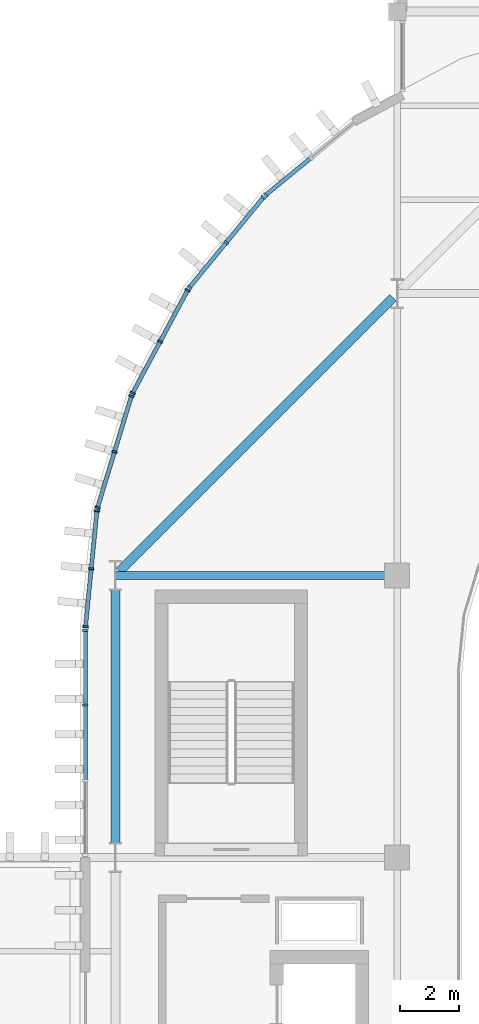
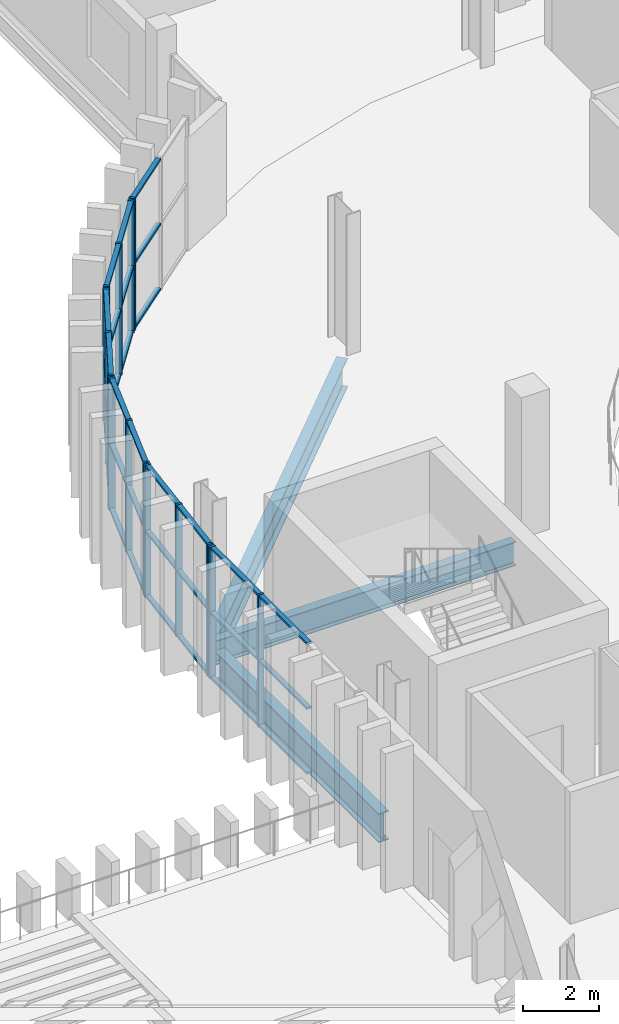
# One storey, part 18 of 92: 48 members, 3 beams, 6 elements without a shape of their own.
"""IFC4 building model written with IfcOpenShell, lengths in metres."""

from ifc_helpers import new_model, si_unit, direction, frame, origin, origin_2d, place, context, subcontext, project, spatial, rectangle, i_section, extrude, material, layer, layer_set, material_profile, profile_set, type_object, element, aggregate, save


model = new_model("IFC4")

# Units and contexts
model_context = context("Model", 3, precision=1e-05, world=origin(), true_north=direction((0.0, 1.0)))
body_context = subcontext(model_context, "Body", "Model", "MODEL_VIEW")
ifc_project = project(units=[si_unit("LENGTHUNIT", "METRE"), si_unit("AREAUNIT", "SQUARE_METRE"), si_unit("VOLUMEUNIT", "CUBIC_METRE"), si_unit("PLANEANGLEUNIT", "RADIAN"), si_unit("MASSUNIT", "GRAM", prefix="KILO")], contexts=[model_context])

# Site, building, storey
site_placement = place(None, origin())
site = spatial("IfcSite", under=ifc_project, at=site_placement, CompositionType="ELEMENT")
building_placement = place(site_placement, origin())
building = spatial("IfcBuilding", under=site, at=building_placement, Name="Caelomonte Colonnade Arena", CompositionType="ELEMENT")
storey_placement = place(building_placement, frame((0.0, 0.0, 9.60009765625)))
storey = spatial("IfcBuildingStorey", under=building, at=storey_placement, Name="L02", CompositionType="ELEMENT", Elevation=9.60009765625)

# Curtain wall, member
ifc_material_1 = material(Name="Bronze anodised aluminium and low-E glazing", Category="aluminium")
ifc_layer_1 = layer(ifc_material_1, 0.179931640625)
ifc_layer_set_1 = layer_set([ifc_layer_1], Name="Bronze anodised aluminium and low-E glazing")
curtain_wall_type_1 = type_object("IfcCurtainWallType", Name="ENV-CW-CW-L02-44-42", PredefinedType="USERDEFINED", material=ifc_layer_set_1)
curtain_wall_1_placement = place(storey_placement, origin())
curtain_wall_1 = element("IfcCurtainWall", 1, at=curtain_wall_1_placement, inside=storey, type_object=curtain_wall_type_1, Name="L02 unitized curtain wall CW-L02-0643-1102", ObjectType="UNITIZED CURTAIN WALL", PredefinedType="USERDEFINED")
ifc_material_2 = material(Name="Bronze anodised aluminium AA6063-T6", Category="aluminium")
ifc_material_profile_1 = material_profile(ifc_material_2, rectangle(XDim=0.070068359375, YDim=0.179931640625, at=origin_2d()), Name="CWM-70X180")
ifc_profile_set_1 = profile_set([ifc_material_profile_1], Name="Bronze anodised aluminium AA6063-T6")
member_type_1 = type_object("IfcMemberType", Name="ENV-CW-MULL1", PredefinedType="MULLION", material=ifc_profile_set_1)
member_1_placement = place(storey_placement, frame((62.722900390625, 108.95751953125, 0.0), z_axis=(0.0, 0.0, 1.0), x_axis=(-0.772991751994, -0.634416071163, 0.0)))
member_1 = element("IfcMember", 2, at=member_1_placement, type_object=member_type_1, Name="CW-L02-44-42 mullion 3", PredefinedType="MULLION", context=body_context, shape_type="SweptSolid", body=[
    extrude(rectangle(XDim=0.070068359375, YDim=0.179931640625, at=origin_2d()), origin(), (0.0, 0.0, 1.0), 4.219970703125),
])

# Curtain wall, members
curtain_wall_2_placement = place(storey_placement, origin())
curtain_wall_2 = element("IfcCurtainWall", 3, at=curtain_wall_2_placement, inside=storey, type_object=curtain_wall_type_1, Name="L02 unitized curtain wall CW-L02-0614-1073", ObjectType="UNITIZED CURTAIN WALL", PredefinedType="USERDEFINED")
member_2_placement = place(storey_placement, frame((62.642333984375, 108.876953125, 0.0), z_axis=(0.0, 0.0, 1.0), x_axis=(-0.634416071163, -0.772991751994, 0.0)))
member_2 = element("IfcMember", 4, at=member_2_placement, type_object=member_type_1, Name="CW-L02-44-42 mullion 1", PredefinedType="MULLION", context=body_context, shape_type="SweptSolid", body=[
    extrude(rectangle(XDim=0.070068359375, YDim=0.179931640625, at=origin_2d()), origin(), (0.0, 0.0, 1.0), 4.219970703125),
])
member_3_placement = place(storey_placement, frame((61.384033203125, 107.343994140625, 0.0), z_axis=(0.0, 0.0, 1.0), x_axis=(-0.634416071163, -0.772991751994, 0.0)))
member_3 = element("IfcMember", 5, at=member_3_placement, type_object=member_type_1, Name="CW-L02-44-42 mullion 2", PredefinedType="MULLION", context=body_context, shape_type="SweptSolid", body=[
    extrude(rectangle(XDim=0.070068359375, YDim=0.179931640625, at=origin_2d()), origin(), (0.0, 0.0, 1.0), 4.219970703125),
])
member_4_placement = place(storey_placement, frame((60.125732421875, 105.810791015625, 0.0), z_axis=(0.0, 0.0, 1.0), x_axis=(-0.634416071163, -0.772991751994, 0.0)))
member_4 = element("IfcMember", 6, at=member_4_placement, type_object=member_type_1, Name="CW-L02-44-42 mullion 3", PredefinedType="MULLION", context=body_context, shape_type="SweptSolid", body=[
    extrude(rectangle(XDim=0.070068359375, YDim=0.179931640625, at=origin_2d()), origin(), (0.0, 0.0, 1.0), 4.219970703125),
])

curtain_wall_3_placement = place(storey_placement, origin())
curtain_wall_3 = element("IfcCurtainWall", 7, at=curtain_wall_3_placement, inside=storey, type_object=curtain_wall_type_1, Name="L02 unitized curtain wall CW-L02-0591-1040", ObjectType="UNITIZED CURTAIN WALL", PredefinedType="USERDEFINED")
member_5_placement = place(storey_placement, frame((60.0625, 105.716064453125, 0.0), z_axis=(0.0, 0.0, 1.0), x_axis=(-0.471394212466, -0.881922613642, 0.0)))
member_5 = element("IfcMember", 8, at=member_5_placement, type_object=member_type_1, Name="CW-L02-44-42 mullion 1", PredefinedType="MULLION", context=body_context, shape_type="SweptSolid", body=[
    extrude(rectangle(XDim=0.070068359375, YDim=0.179931640625, at=origin_2d()), origin(), (0.0, 0.0, 1.0), 4.219970703125),
])
member_6_placement = place(storey_placement, frame((59.12744140625, 103.966796875, 0.0), z_axis=(0.0, 0.0, 1.0), x_axis=(-0.471394212466, -0.881922613642, 0.0)))
member_6 = element("IfcMember", 9, at=member_6_placement, type_object=member_type_1, Name="CW-L02-44-42 mullion 2", PredefinedType="MULLION", context=body_context, shape_type="SweptSolid", body=[
    extrude(rectangle(XDim=0.070068359375, YDim=0.179931640625, at=origin_2d()), origin(), (0.0, 0.0, 1.0), 4.219970703125),
])
member_7_placement = place(storey_placement, frame((58.192626953125, 102.2177734375, 0.0), z_axis=(0.0, 0.0, 1.0), x_axis=(-0.471394212466, -0.881922613642, 0.0)))
member_7 = element("IfcMember", 10, at=member_7_placement, type_object=member_type_1, Name="CW-L02-44-42 mullion 3", PredefinedType="MULLION", context=body_context, shape_type="SweptSolid", body=[
    extrude(rectangle(XDim=0.070068359375, YDim=0.179931640625, at=origin_2d()), origin(), (0.0, 0.0, 1.0), 4.219970703125),
])

curtain_wall_4_placement = place(storey_placement, origin())
curtain_wall_4 = element("IfcCurtainWall", 11, at=curtain_wall_4_placement, inside=storey, type_object=curtain_wall_type_1, Name="L02 unitized curtain wall CW-L02-0576-1002", ObjectType="UNITIZED CURTAIN WALL", PredefinedType="USERDEFINED")
member_8_placement = place(storey_placement, frame((58.14892578125, 102.1123046875, 0.0), z_axis=(0.0, 0.0, 1.0), x_axis=(-0.290255582655, -0.956949160999, 0.0)))
member_8 = element("IfcMember", 12, at=member_8_placement, type_object=member_type_1, Name="CW-L02-44-42 mullion 1", PredefinedType="MULLION", context=body_context, shape_type="SweptSolid", body=[
    extrude(rectangle(XDim=0.070068359375, YDim=0.179931640625, at=origin_2d()), origin(), (0.0, 0.0, 1.0), 4.219970703125),
])
member_9_placement = place(storey_placement, frame((57.5732421875, 100.21435546875, 0.0), z_axis=(0.0, 0.0, 1.0), x_axis=(-0.290255582655, -0.956949160999, 0.0)))
member_9 = element("IfcMember", 13, at=member_9_placement, type_object=member_type_1, Name="CW-L02-44-42 mullion 2", PredefinedType="MULLION", context=body_context, shape_type="SweptSolid", body=[
    extrude(rectangle(XDim=0.070068359375, YDim=0.179931640625, at=origin_2d()), origin(), (0.0, 0.0, 1.0), 4.219970703125),
])
member_10_placement = place(storey_placement, frame((56.99755859375, 98.31640625, 0.0), z_axis=(0.0, 0.0, 1.0), x_axis=(-0.290255582655, -0.956949160999, 0.0)))
member_10 = element("IfcMember", 14, at=member_10_placement, type_object=member_type_1, Name="CW-L02-44-42 mullion 3", PredefinedType="MULLION", context=body_context, shape_type="SweptSolid", body=[
    extrude(rectangle(XDim=0.070068359375, YDim=0.179931640625, at=origin_2d()), origin(), (0.0, 0.0, 1.0), 4.219970703125),
])

curtain_wall_5_placement = place(storey_placement, origin())
curtain_wall_5 = element("IfcCurtainWall", 15, at=curtain_wall_5_placement, inside=storey, type_object=curtain_wall_type_1, Name="L02 unitized curtain wall CW-L02-0568-0962", ObjectType="UNITIZED CURTAIN WALL", PredefinedType="USERDEFINED")
member_11_placement = place(storey_placement, frame((56.975341796875, 98.20458984375, 0.0), z_axis=(0.0, 0.0, 1.0), x_axis=(-0.098002498041, -0.995186168703, 0.0)))
member_11 = element("IfcMember", 16, at=member_11_placement, type_object=member_type_1, Name="CW-L02-44-42 mullion 1", PredefinedType="MULLION", context=body_context, shape_type="SweptSolid", body=[
    extrude(rectangle(XDim=0.070068359375, YDim=0.179931640625, at=origin_2d()), origin(), (0.0, 0.0, 1.0), 4.219970703125),
])
member_12_placement = place(storey_placement, frame((56.781005859375, 96.230712890625, 0.0), z_axis=(0.0, 0.0, 1.0), x_axis=(-0.098002498041, -0.995186168703, 0.0)))
member_12 = element("IfcMember", 17, at=member_12_placement, type_object=member_type_1, Name="CW-L02-44-42 mullion 2", PredefinedType="MULLION", context=body_context, shape_type="SweptSolid", body=[
    extrude(rectangle(XDim=0.070068359375, YDim=0.179931640625, at=origin_2d()), origin(), (0.0, 0.0, 1.0), 4.219970703125),
])
member_13_placement = place(storey_placement, frame((56.58642578125, 94.257080078125, 0.0), z_axis=(0.0, 0.0, 1.0), x_axis=(-0.098002498041, -0.995186168703, 0.0)))
member_13 = element("IfcMember", 18, at=member_13_placement, type_object=member_type_1, Name="CW-L02-44-42 mullion 3", PredefinedType="MULLION", context=body_context, shape_type="SweptSolid", body=[
    extrude(rectangle(XDim=0.070068359375, YDim=0.179931640625, at=origin_2d()), origin(), (0.0, 0.0, 1.0), 4.219970703125),
])

ifc_layer_2 = layer(ifc_material_1, 0.179931640625)
ifc_layer_set_2 = layer_set([ifc_layer_2], Name="Bronze anodised aluminium and low-E glazing")
curtain_wall_type_2 = type_object("IfcCurtainWallType", Name="ENV-CW-CW-L02-79-42", PredefinedType="USERDEFINED", material=ifc_layer_set_2)
curtain_wall_6_placement = place(storey_placement, origin())
curtain_wall_6 = element("IfcCurtainWall", 19, at=curtain_wall_6_placement, inside=storey, type_object=curtain_wall_type_2, Name="L02 unitized curtain wall CW-L02-0566-0904", ObjectType="UNITIZED CURTAIN WALL", PredefinedType="USERDEFINED")
member_14_placement = place(storey_placement, frame((56.580078125, 94.125, 0.0), z_axis=(0.0, 0.0, 1.0), x_axis=(0.0, -1.0, 0.0)))
member_14 = element("IfcMember", 20, at=member_14_placement, type_object=member_type_1, Name="CW-L02-79-42 mullion 1", PredefinedType="MULLION", context=body_context, shape_type="SweptSolid", body=[
    extrude(rectangle(XDim=0.070068359375, YDim=0.179931640625, at=origin_2d()), origin(), (0.0, 0.0, 1.0), 4.219970703125),
])
member_15_placement = place(storey_placement, frame((56.580078125, 91.586669921875, 0.0), z_axis=(0.0, 0.0, 1.0), x_axis=(0.0, -1.0, 0.0)))
member_15 = element("IfcMember", 21, at=member_15_placement, type_object=member_type_1, Name="CW-L02-79-42 mullion 2", PredefinedType="MULLION", context=body_context, shape_type="SweptSolid", body=[
    extrude(rectangle(XDim=0.070068359375, YDim=0.179931640625, at=origin_2d()), origin(), (0.0, 0.0, 1.0), 4.219970703125),
])

# Member
ifc_material_profile_2 = material_profile(ifc_material_2, rectangle(XDim=0.070068359375, YDim=0.139892578125, at=origin_2d()), Name="CWT-70X140")
ifc_profile_set_2 = profile_set([ifc_material_profile_2], Name="Bronze anodised aluminium AA6063-T6")
member_type_2 = type_object("IfcMemberType", Name="ENV-CW-TRAN1", PredefinedType="USERDEFINED", material=ifc_profile_set_2)
member_16_placement = place(storey_placement, frame((64.22900390625, 110.193603515625, 0.034912109375), z_axis=(-0.772989936128, -0.634418283662, 0.0), x_axis=(0.0, 0.0, 1.0)))
member_16 = element("IfcMember", 22, at=member_16_placement, type_object=member_type_2, Name="CW-L02-44-42 transom 2.1", ObjectType="TRANSOM", PredefinedType="USERDEFINED", context=body_context, shape_type="SweptSolid", body=[
    extrude(rectangle(XDim=0.070068359375, YDim=0.139892578125, at=origin_2d()), origin(), (0.0, 0.0, 1.0), 1.913330078125),
])

member_17_placement = place(storey_placement, frame((64.22900390625, 110.193603515625, 2.10986328125), z_axis=(-0.772989936128, -0.634418283662, 0.0), x_axis=(0.0, 0.0, 1.0)))
member_17 = element("IfcMember", 23, at=member_17_placement, type_object=member_type_2, Name="CW-L02-44-42 transom 2.2", ObjectType="TRANSOM", PredefinedType="USERDEFINED", context=body_context, shape_type="SweptSolid", body=[
    extrude(rectangle(XDim=0.070068359375, YDim=0.139892578125, at=origin_2d()), origin(), (0.0, 0.0, 1.0), 1.913330078125),
])

member_18_placement = place(storey_placement, frame((64.22900390625, 110.193603515625, 4.184814453125), z_axis=(-0.772989936128, -0.634418283662, 0.0), x_axis=(0.0, 0.0, 1.0)))
member_18 = element("IfcMember", 24, at=member_18_placement, type_object=member_type_2, Name="CW-L02-44-42 transom 2.3", ObjectType="TRANSOM", PredefinedType="USERDEFINED", context=body_context, shape_type="SweptSolid", body=[
    extrude(rectangle(XDim=0.070068359375, YDim=0.139892578125, at=origin_2d()), origin(), (0.0, 0.0, 1.0), 1.913330078125),
])

aggregate(curtain_wall_1, [member_1, member_16, member_17, member_18])

member_19_placement = place(storey_placement, frame((62.6201171875, 108.85009765625, 0.034912109375), z_axis=(-0.634355713729, -0.773041285094, 0.0), x_axis=(0.0, 0.0, 1.0)))
member_19 = element("IfcMember", 25, at=member_19_placement, type_object=member_type_2, Name="CW-L02-44-42 transom 1.1", ObjectType="TRANSOM", PredefinedType="USERDEFINED", context=body_context, shape_type="SweptSolid", body=[
    extrude(rectangle(XDim=0.070068359375, YDim=0.139892578125, at=origin_2d()), origin(), (0.0, 0.0, 1.0), 1.91357421875),
])

member_20_placement = place(storey_placement, frame((62.6201171875, 108.85009765625, 2.10986328125), z_axis=(-0.634355713729, -0.773041285094, 0.0), x_axis=(0.0, 0.0, 1.0)))
member_20 = element("IfcMember", 26, at=member_20_placement, type_object=member_type_2, Name="CW-L02-44-42 transom 1.2", ObjectType="TRANSOM", PredefinedType="USERDEFINED", context=body_context, shape_type="SweptSolid", body=[
    extrude(rectangle(XDim=0.070068359375, YDim=0.139892578125, at=origin_2d()), origin(), (0.0, 0.0, 1.0), 1.91357421875),
])

member_21_placement = place(storey_placement, frame((62.6201171875, 108.85009765625, 4.184814453125), z_axis=(-0.634355713729, -0.773041285094, 0.0), x_axis=(0.0, 0.0, 1.0)))
member_21 = element("IfcMember", 27, at=member_21_placement, type_object=member_type_2, Name="CW-L02-44-42 transom 1.3", ObjectType="TRANSOM", PredefinedType="USERDEFINED", context=body_context, shape_type="SweptSolid", body=[
    extrude(rectangle(XDim=0.070068359375, YDim=0.139892578125, at=origin_2d()), origin(), (0.0, 0.0, 1.0), 1.91357421875),
])

member_22_placement = place(storey_placement, frame((61.36181640625, 107.31689453125, 0.034912109375), z_axis=(-0.634418283662, -0.772989936128, 0.0), x_axis=(0.0, 0.0, 1.0)))
member_22 = element("IfcMember", 28, at=member_22_placement, type_object=member_type_2, Name="CW-L02-44-42 transom 2.1", ObjectType="TRANSOM", PredefinedType="USERDEFINED", context=body_context, shape_type="SweptSolid", body=[
    extrude(rectangle(XDim=0.070068359375, YDim=0.139892578125, at=origin_2d()), origin(), (0.0, 0.0, 1.0), 1.913330078125),
])

member_23_placement = place(storey_placement, frame((61.36181640625, 107.31689453125, 2.10986328125), z_axis=(-0.634418283662, -0.772989936128, 0.0), x_axis=(0.0, 0.0, 1.0)))
member_23 = element("IfcMember", 29, at=member_23_placement, type_object=member_type_2, Name="CW-L02-44-42 transom 2.2", ObjectType="TRANSOM", PredefinedType="USERDEFINED", context=body_context, shape_type="SweptSolid", body=[
    extrude(rectangle(XDim=0.070068359375, YDim=0.139892578125, at=origin_2d()), origin(), (0.0, 0.0, 1.0), 1.913330078125),
])

member_24_placement = place(storey_placement, frame((61.36181640625, 107.31689453125, 4.184814453125), z_axis=(-0.634418283662, -0.772989936128, 0.0), x_axis=(0.0, 0.0, 1.0)))
member_24 = element("IfcMember", 30, at=member_24_placement, type_object=member_type_2, Name="CW-L02-44-42 transom 2.3", ObjectType="TRANSOM", PredefinedType="USERDEFINED", context=body_context, shape_type="SweptSolid", body=[
    extrude(rectangle(XDim=0.070068359375, YDim=0.139892578125, at=origin_2d()), origin(), (0.0, 0.0, 1.0), 1.913330078125),
])

aggregate(curtain_wall_2, [member_2, member_3, member_4, member_19, member_20, member_21, member_22, member_23, member_24])

member_25_placement = place(storey_placement, frame((60.0458984375, 105.68505859375, 0.034912109375), z_axis=(-0.471396095589, -0.881921607096, 0.0), x_axis=(0.0, 0.0, 1.0)))
member_25 = element("IfcMember", 31, at=member_25_placement, type_object=member_type_2, Name="CW-L02-44-42 transom 1.1", ObjectType="TRANSOM", PredefinedType="USERDEFINED", context=body_context, shape_type="SweptSolid", body=[
    extrude(rectangle(XDim=0.070068359375, YDim=0.139892578125, at=origin_2d()), origin(), (0.0, 0.0, 1.0), 1.9130859375),
])

member_26_placement = place(storey_placement, frame((60.0458984375, 105.68505859375, 2.10986328125), z_axis=(-0.471396095589, -0.881921607096, 0.0), x_axis=(0.0, 0.0, 1.0)))
member_26 = element("IfcMember", 32, at=member_26_placement, type_object=member_type_2, Name="CW-L02-44-42 transom 1.2", ObjectType="TRANSOM", PredefinedType="USERDEFINED", context=body_context, shape_type="SweptSolid", body=[
    extrude(rectangle(XDim=0.070068359375, YDim=0.139892578125, at=origin_2d()), origin(), (0.0, 0.0, 1.0), 1.9130859375),
])

member_27_placement = place(storey_placement, frame((60.0458984375, 105.68505859375, 4.184814453125), z_axis=(-0.471396095589, -0.881921607096, 0.0), x_axis=(0.0, 0.0, 1.0)))
member_27 = element("IfcMember", 33, at=member_27_placement, type_object=member_type_2, Name="CW-L02-44-42 transom 1.3", ObjectType="TRANSOM", PredefinedType="USERDEFINED", context=body_context, shape_type="SweptSolid", body=[
    extrude(rectangle(XDim=0.070068359375, YDim=0.139892578125, at=origin_2d()), origin(), (0.0, 0.0, 1.0), 1.9130859375),
])

member_28_placement = place(storey_placement, frame((59.111083984375, 103.93603515625, 0.034912109375), z_axis=(-0.471442288799, -0.881896914799, 0.0), x_axis=(0.0, 0.0, 1.0)))
member_28 = element("IfcMember", 34, at=member_28_placement, type_object=member_type_2, Name="CW-L02-44-42 transom 2.1", ObjectType="TRANSOM", PredefinedType="USERDEFINED", context=body_context, shape_type="SweptSolid", body=[
    extrude(rectangle(XDim=0.070068359375, YDim=0.139892578125, at=origin_2d()), origin(), (0.0, 0.0, 1.0), 1.91357421875),
])

member_29_placement = place(storey_placement, frame((59.111083984375, 103.93603515625, 2.10986328125), z_axis=(-0.471442288799, -0.881896914799, 0.0), x_axis=(0.0, 0.0, 1.0)))
member_29 = element("IfcMember", 35, at=member_29_placement, type_object=member_type_2, Name="CW-L02-44-42 transom 2.2", ObjectType="TRANSOM", PredefinedType="USERDEFINED", context=body_context, shape_type="SweptSolid", body=[
    extrude(rectangle(XDim=0.070068359375, YDim=0.139892578125, at=origin_2d()), origin(), (0.0, 0.0, 1.0), 1.91357421875),
])

member_30_placement = place(storey_placement, frame((59.111083984375, 103.93603515625, 4.184814453125), z_axis=(-0.471442288799, -0.881896914799, 0.0), x_axis=(0.0, 0.0, 1.0)))
member_30 = element("IfcMember", 36, at=member_30_placement, type_object=member_type_2, Name="CW-L02-44-42 transom 2.3", ObjectType="TRANSOM", PredefinedType="USERDEFINED", context=body_context, shape_type="SweptSolid", body=[
    extrude(rectangle(XDim=0.070068359375, YDim=0.139892578125, at=origin_2d()), origin(), (0.0, 0.0, 1.0), 1.91357421875),
])

aggregate(curtain_wall_3, [member_5, member_6, member_7, member_25, member_26, member_27, member_28, member_29, member_30])

member_31_placement = place(storey_placement, frame((58.138671875, 102.078857421875, 0.034912109375), z_axis=(-0.29015613003, -0.956979320678, 0.0), x_axis=(0.0, 0.0, 1.0)))
member_31 = element("IfcMember", 37, at=member_31_placement, type_object=member_type_2, Name="CW-L02-44-42 transom 1.1", ObjectType="TRANSOM", PredefinedType="USERDEFINED", context=body_context, shape_type="SweptSolid", body=[
    extrude(rectangle(XDim=0.070068359375, YDim=0.139892578125, at=origin_2d()), origin(), (0.0, 0.0, 1.0), 1.913330078125),
])

member_32_placement = place(storey_placement, frame((58.138671875, 102.078857421875, 2.10986328125), z_axis=(-0.29015613003, -0.956979320678, 0.0), x_axis=(0.0, 0.0, 1.0)))
member_32 = element("IfcMember", 38, at=member_32_placement, type_object=member_type_2, Name="CW-L02-44-42 transom 1.2", ObjectType="TRANSOM", PredefinedType="USERDEFINED", context=body_context, shape_type="SweptSolid", body=[
    extrude(rectangle(XDim=0.070068359375, YDim=0.139892578125, at=origin_2d()), origin(), (0.0, 0.0, 1.0), 1.913330078125),
])

member_33_placement = place(storey_placement, frame((58.138671875, 102.078857421875, 4.184814453125), z_axis=(-0.29015613003, -0.956979320678, 0.0), x_axis=(0.0, 0.0, 1.0)))
member_33 = element("IfcMember", 39, at=member_33_placement, type_object=member_type_2, Name="CW-L02-44-42 transom 1.3", ObjectType="TRANSOM", PredefinedType="USERDEFINED", context=body_context, shape_type="SweptSolid", body=[
    extrude(rectangle(XDim=0.070068359375, YDim=0.139892578125, at=origin_2d()), origin(), (0.0, 0.0, 1.0), 1.913330078125),
])

member_34_placement = place(storey_placement, frame((57.56298828125, 100.180908203125, 0.034912109375), z_axis=(-0.29015613003, -0.956979320678, 0.0), x_axis=(0.0, 0.0, 1.0)))
member_34 = element("IfcMember", 40, at=member_34_placement, type_object=member_type_2, Name="CW-L02-44-42 transom 2.1", ObjectType="TRANSOM", PredefinedType="USERDEFINED", context=body_context, shape_type="SweptSolid", body=[
    extrude(rectangle(XDim=0.070068359375, YDim=0.139892578125, at=origin_2d()), origin(), (0.0, 0.0, 1.0), 1.913330078125),
])

member_35_placement = place(storey_placement, frame((57.56298828125, 100.180908203125, 2.10986328125), z_axis=(-0.29015613003, -0.956979320678, 0.0), x_axis=(0.0, 0.0, 1.0)))
member_35 = element("IfcMember", 41, at=member_35_placement, type_object=member_type_2, Name="CW-L02-44-42 transom 2.2", ObjectType="TRANSOM", PredefinedType="USERDEFINED", context=body_context, shape_type="SweptSolid", body=[
    extrude(rectangle(XDim=0.070068359375, YDim=0.139892578125, at=origin_2d()), origin(), (0.0, 0.0, 1.0), 1.913330078125),
])

member_36_placement = place(storey_placement, frame((57.56298828125, 100.180908203125, 4.184814453125), z_axis=(-0.29015613003, -0.956979320678, 0.0), x_axis=(0.0, 0.0, 1.0)))
member_36 = element("IfcMember", 42, at=member_36_placement, type_object=member_type_2, Name="CW-L02-44-42 transom 2.3", ObjectType="TRANSOM", PredefinedType="USERDEFINED", context=body_context, shape_type="SweptSolid", body=[
    extrude(rectangle(XDim=0.070068359375, YDim=0.139892578125, at=origin_2d()), origin(), (0.0, 0.0, 1.0), 1.913330078125),
])

aggregate(curtain_wall_4, [member_8, member_9, member_10, member_31, member_32, member_33, member_34, member_35, member_36])

member_37_placement = place(storey_placement, frame((56.971923828125, 98.169677734375, 0.034912109375), z_axis=(-0.098000148132, -0.995186400111, 0.0), x_axis=(0.0, 0.0, 1.0)))
member_37 = element("IfcMember", 43, at=member_37_placement, type_object=member_type_2, Name="CW-L02-44-42 transom 1.1", ObjectType="TRANSOM", PredefinedType="USERDEFINED", context=body_context, shape_type="SweptSolid", body=[
    extrude(rectangle(XDim=0.070068359375, YDim=0.139892578125, at=origin_2d()), origin(), (0.0, 0.0, 1.0), 1.913330078125),
])

member_38_placement = place(storey_placement, frame((56.971923828125, 98.169677734375, 2.10986328125), z_axis=(-0.098000148132, -0.995186400111, 0.0), x_axis=(0.0, 0.0, 1.0)))
member_38 = element("IfcMember", 44, at=member_38_placement, type_object=member_type_2, Name="CW-L02-44-42 transom 1.2", ObjectType="TRANSOM", PredefinedType="USERDEFINED", context=body_context, shape_type="SweptSolid", body=[
    extrude(rectangle(XDim=0.070068359375, YDim=0.139892578125, at=origin_2d()), origin(), (0.0, 0.0, 1.0), 1.913330078125),
])

member_39_placement = place(storey_placement, frame((56.971923828125, 98.169677734375, 4.184814453125), z_axis=(-0.098000148132, -0.995186400111, 0.0), x_axis=(0.0, 0.0, 1.0)))
member_39 = element("IfcMember", 45, at=member_39_placement, type_object=member_type_2, Name="CW-L02-44-42 transom 1.3", ObjectType="TRANSOM", PredefinedType="USERDEFINED", context=body_context, shape_type="SweptSolid", body=[
    extrude(rectangle(XDim=0.070068359375, YDim=0.139892578125, at=origin_2d()), origin(), (0.0, 0.0, 1.0), 1.913330078125),
])

member_40_placement = place(storey_placement, frame((56.777587890625, 96.196044921875, 0.034912109375), z_axis=(-0.098114065391, -0.995175175621, 0.0), x_axis=(0.0, 0.0, 1.0)))
member_40 = element("IfcMember", 46, at=member_40_placement, type_object=member_type_2, Name="CW-L02-44-42 transom 2.1", ObjectType="TRANSOM", PredefinedType="USERDEFINED", context=body_context, shape_type="SweptSolid", body=[
    extrude(rectangle(XDim=0.070068359375, YDim=0.139892578125, at=origin_2d()), origin(), (0.0, 0.0, 1.0), 1.91357421875),
])

member_41_placement = place(storey_placement, frame((56.777587890625, 96.196044921875, 2.10986328125), z_axis=(-0.098114065391, -0.995175175621, 0.0), x_axis=(0.0, 0.0, 1.0)))
member_41 = element("IfcMember", 47, at=member_41_placement, type_object=member_type_2, Name="CW-L02-44-42 transom 2.2", ObjectType="TRANSOM", PredefinedType="USERDEFINED", context=body_context, shape_type="SweptSolid", body=[
    extrude(rectangle(XDim=0.070068359375, YDim=0.139892578125, at=origin_2d()), origin(), (0.0, 0.0, 1.0), 1.91357421875),
])

member_42_placement = place(storey_placement, frame((56.777587890625, 96.196044921875, 4.184814453125), z_axis=(-0.098114065391, -0.995175175621, 0.0), x_axis=(0.0, 0.0, 1.0)))
member_42 = element("IfcMember", 48, at=member_42_placement, type_object=member_type_2, Name="CW-L02-44-42 transom 2.3", ObjectType="TRANSOM", PredefinedType="USERDEFINED", context=body_context, shape_type="SweptSolid", body=[
    extrude(rectangle(XDim=0.070068359375, YDim=0.139892578125, at=origin_2d()), origin(), (0.0, 0.0, 1.0), 1.91357421875),
])

aggregate(curtain_wall_5, [member_11, member_12, member_13, member_37, member_38, member_39, member_40, member_41, member_42])

member_43_placement = place(storey_placement, frame((56.580078125, 94.090087890625, 0.034912109375), z_axis=(0.0, -1.0, 0.0), x_axis=(0.0, 0.0, 1.0)))
member_43 = element("IfcMember", 49, at=member_43_placement, type_object=member_type_2, Name="CW-L02-79-42 transom 1.1", ObjectType="TRANSOM", PredefinedType="USERDEFINED", context=body_context, shape_type="SweptSolid", body=[
    extrude(rectangle(XDim=0.070068359375, YDim=0.139892578125, at=origin_2d()), origin(), (0.0, 0.0, 1.0), 2.468505859375),
])

member_44_placement = place(storey_placement, frame((56.580078125, 94.090087890625, 2.10986328125), z_axis=(0.0, -1.0, 0.0), x_axis=(0.0, 0.0, 1.0)))
member_44 = element("IfcMember", 50, at=member_44_placement, type_object=member_type_2, Name="CW-L02-79-42 transom 1.2", ObjectType="TRANSOM", PredefinedType="USERDEFINED", context=body_context, shape_type="SweptSolid", body=[
    extrude(rectangle(XDim=0.070068359375, YDim=0.139892578125, at=origin_2d()), origin(), (0.0, 0.0, 1.0), 2.468505859375),
])

member_45_placement = place(storey_placement, frame((56.580078125, 94.090087890625, 4.184814453125), z_axis=(0.0, -1.0, 0.0), x_axis=(0.0, 0.0, 1.0)))
member_45 = element("IfcMember", 51, at=member_45_placement, type_object=member_type_2, Name="CW-L02-79-42 transom 1.3", ObjectType="TRANSOM", PredefinedType="USERDEFINED", context=body_context, shape_type="SweptSolid", body=[
    extrude(rectangle(XDim=0.070068359375, YDim=0.139892578125, at=origin_2d()), origin(), (0.0, 0.0, 1.0), 2.468505859375),
])

member_46_placement = place(storey_placement, frame((56.580078125, 91.5517578125, 0.034912109375), z_axis=(0.0, -1.0, 0.0), x_axis=(0.0, 0.0, 1.0)))
member_46 = element("IfcMember", 52, at=member_46_placement, type_object=member_type_2, Name="CW-L02-79-42 transom 2.1", ObjectType="TRANSOM", PredefinedType="USERDEFINED", context=body_context, shape_type="SweptSolid", body=[
    extrude(rectangle(XDim=0.070068359375, YDim=0.139892578125, at=origin_2d()), origin(), (0.0, 0.0, 1.0), 2.50341796875),
])

member_47_placement = place(storey_placement, frame((56.580078125, 91.5517578125, 2.10986328125), z_axis=(0.0, -1.0, 0.0), x_axis=(0.0, 0.0, 1.0)))
member_47 = element("IfcMember", 53, at=member_47_placement, type_object=member_type_2, Name="CW-L02-79-42 transom 2.2", ObjectType="TRANSOM", PredefinedType="USERDEFINED", context=body_context, shape_type="SweptSolid", body=[
    extrude(rectangle(XDim=0.070068359375, YDim=0.139892578125, at=origin_2d()), origin(), (0.0, 0.0, 1.0), 2.50341796875),
])

member_48_placement = place(storey_placement, frame((56.580078125, 91.5517578125, 4.184814453125), z_axis=(0.0, -1.0, 0.0), x_axis=(0.0, 0.0, 1.0)))
member_48 = element("IfcMember", 54, at=member_48_placement, type_object=member_type_2, Name="CW-L02-79-42 transom 2.3", ObjectType="TRANSOM", PredefinedType="USERDEFINED", context=body_context, shape_type="SweptSolid", body=[
    extrude(rectangle(XDim=0.070068359375, YDim=0.139892578125, at=origin_2d()), origin(), (0.0, 0.0, 1.0), 2.50341796875),
])

aggregate(curtain_wall_6, [member_14, member_15, member_43, member_44, member_45, member_46, member_47, member_48])

# Beams
ifc_material_3 = material(Name="Wide-flange steel ASTM A992 Grade 50", Category="steel")
ifc_material_profile_3 = material_profile(ifc_material_3, i_section(OverallWidth=0.307861328125, OverallDepth=0.927001953125, WebThickness=0.019287109375, FlangeThickness=0.031982421875, FilletRadius=0.020263671875, at=origin_2d()), Name="W36X194")
ifc_profile_set_3 = profile_set([ifc_material_profile_3], Name="Wide-flange steel ASTM A992 Grade 50")
beam_type_1 = type_object("IfcBeamType", Name="STR-BM-EAVES2", PredefinedType="SPANDREL", material=ifc_profile_set_3)
beam_1_placement = place(storey_placement, frame((57.60009765625, 86.8974609375, -0.74365234375), z_axis=(0.0, 1.0, 0.0), x_axis=(-1.0, 0.0, 0.0)))
element("IfcBeam", 55, at=beam_1_placement, inside=storey, type_object=beam_type_1, Name="L02 girder BMY-L02-0576-0864", PredefinedType="SPANDREL", context=body_context, shape_type="SweptSolid", body=[
    extrude(i_section(OverallWidth=0.307861328125, OverallDepth=0.927001953125, WebThickness=0.019287109375, FlangeThickness=0.031982421875, FilletRadius=0.020263671875, at=origin_2d()), origin(), (0.0, 0.0, 1.0), 8.60498046875),
])
beam_2_placement = place(storey_placement, frame((67.0576171875, 105.45751953125, -0.74365234375), z_axis=(-0.707116047487, -0.707097514764, 0.0), x_axis=(0.707097514764, -0.707116047487, 0.0)))
element("IfcBeam", 56, at=beam_2_placement, inside=storey, type_object=beam_type_1, Name="L02 drum corner ring girder 8", PredefinedType="SPANDREL", context=body_context, shape_type="SweptSolid", body=[
    extrude(i_section(OverallWidth=0.307861328125, OverallDepth=0.927001953125, WebThickness=0.019287109375, FlangeThickness=0.031982421875, FilletRadius=0.020263671875, at=origin_2d()), origin(), (0.0, 0.0, 1.0), 13.173583984375),
])
ifc_material_profile_4 = material_profile(ifc_material_3, i_section(OverallWidth=0.2666015625, OverallDepth=0.761962890625, WebThickness=0.014404296875, FlangeThickness=0.021484375, FilletRadius=0.0166015625, at=origin_2d()), Name="W30X116")
ifc_profile_set_4 = profile_set([ifc_material_profile_4], Name="Wide-flange steel ASTM A992 Grade 50")
beam_type_2 = type_object("IfcBeamType", Name="STR-BM-GIRD30", PredefinedType="BEAM", material=ifc_profile_set_4)
beam_3_placement = place(storey_placement, frame((57.61181640625, 96.0, -0.6611328125), z_axis=(1.0, 0.0, 0.0), x_axis=(0.0, 1.0, 0.0)))
element("IfcBeam", 57, at=beam_3_placement, inside=storey, type_object=beam_type_2, Name="L02 girder BMX-L02-0576-0960", PredefinedType="BEAM", context=body_context, shape_type="SweptSolid", body=[
    extrude(i_section(OverallWidth=0.2666015625, OverallDepth=0.761962890625, WebThickness=0.014404296875, FlangeThickness=0.021484375, FilletRadius=0.0166015625, at=origin_2d()), origin(), (0.0, 0.0, 1.0), 9.171142578125),
])

save(model, "model.ifc")
